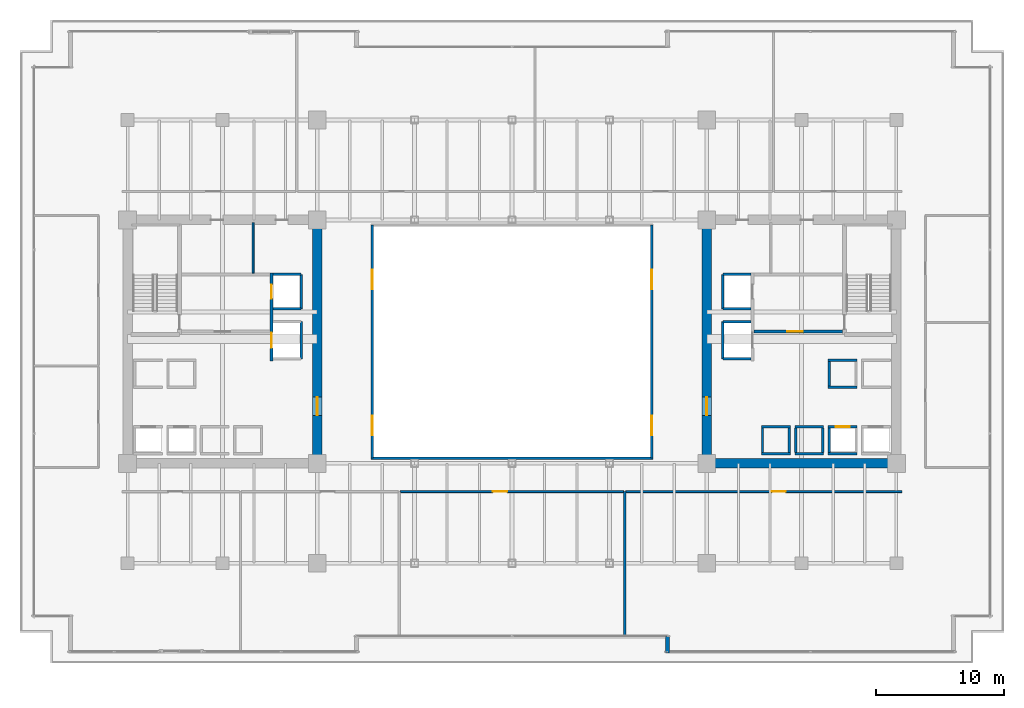
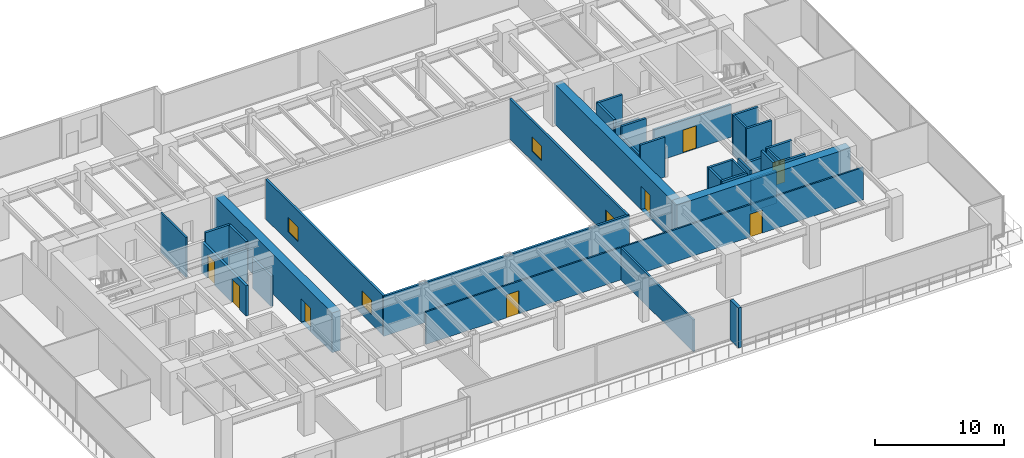
# One storey, part 30 of 36: 37 walls, 8 doors, 4 windows, 12 openings.
"""IFC4 building model written with IfcOpenShell, lengths in metres."""

from ifc_helpers import new_model, si_unit, direction, frame, frame_2d, origin, place, context, subcontext, project, spatial, rectangle, extrude, source, transform, mapped, material, layer, layer_set, type_object, type_shapes, element, fill, save


model = new_model("IFC4")

# Units and contexts
model_context = context("Model", 3, precision=1e-05, world=origin(), true_north=direction((0.0, 1.0)))
body_context = subcontext(model_context, "Body", "Model", "MODEL_VIEW")
ifc_project = project(units=[si_unit("LENGTHUNIT", "METRE"), si_unit("AREAUNIT", "SQUARE_METRE"), si_unit("VOLUMEUNIT", "CUBIC_METRE"), si_unit("PLANEANGLEUNIT", "RADIAN"), si_unit("MASSUNIT", "GRAM", prefix="KILO")], contexts=[model_context])

# Site, building, storey
site_placement = place(None, origin())
site = spatial("IfcSite", under=ifc_project, at=site_placement, CompositionType="ELEMENT")
building_placement = place(site_placement, origin())
building = spatial("IfcBuilding", under=site, at=building_placement, Name="Haelvirn Gate Laboratories", CompositionType="ELEMENT")
storey_placement = place(building_placement, frame((0.0, 0.0, 25.199951171875)))
storey = spatial("IfcBuildingStorey", under=building, at=storey_placement, Name="L06", CompositionType="ELEMENT", Elevation=25.199951171875)

# Walls
ifc_material_1 = material(Name="Thermally-broken bronze aluminium rainscreen & mineral wool", Category="aluminium")
ifc_layer_1 = layer(ifc_material_1, 0.280029296875, Name="EW-TERR-280")
ifc_layer_set_1 = layer_set([ifc_layer_1], Name="Thermally-broken bronze aluminium rainscreen & mineral wool")
wall_type_1 = type_object("IfcWallType", Name="EW-TERR-280", PredefinedType="STANDARD", material=ifc_layer_set_1)
wall_1_placement = place(storey_placement, frame((49.5400390625, 1.2880859375, 0.0), z_axis=(0.0, 0.0, 1.0), x_axis=(0.0, -1.0, 0.0)))
element("IfcWall", 1, at=wall_1_placement, inside=storey, type_object=wall_type_1, Name="L06 Atrium Recess Bronze Return Wall 03", PredefinedType="STANDARD", context=body_context, shape_type="SweptSolid", body=[
    extrude(rectangle(XDim=1.2880859375, YDim=0.280029296875, at=frame_2d((0.64404296875, 0.0))), origin(), (0.0, 0.0, 1.0), 3.780029296875),
])
ifc_material_2 = material(Name="Double-layer acoustic gypsum laboratory partition", Category="gypsum")
ifc_layer_2 = layer(ifc_material_2, 0.159912109375, Name="IW-ACOUST-160")
ifc_layer_set_2 = layer_set([ifc_layer_2], Name="Double-layer acoustic gypsum laboratory partition")
wall_type_2 = type_object("IfcWallType", Name="IW-ACOUST-160", PredefinedType="PARTITIONING", material=ifc_layer_set_2)
wall_2_placement = place(storey_placement, frame((46.199951171875, 1.31005859375, 0.0), z_axis=(0.0, 0.0, 1.0), x_axis=(0.0, 1.0, 0.0)))
element("IfcWall", 2, at=wall_2_placement, inside=storey, type_object=wall_type_2, Name="L06 Interior Wall IW-L06-SDIV-03", PredefinedType="PARTITIONING", context=body_context, shape_type="SweptSolid", body=[
    extrude(rectangle(XDim=11.280029296875, YDim=0.159912109375, at=frame_2d((5.64013671875, 0.0))), origin(), (0.0, 0.0, 1.0), 3.01513671875),
])

# Wall, openings, windows
ifc_material_3 = material(Name="Tempered fire-rated borosilicate glass & anodised aluminium", Category="aluminium")
ifc_layer_3 = layer(ifc_material_3, 0.195068359375, Name="IW-GLAZ-200")
ifc_layer_set_3 = layer_set([ifc_layer_3], Name="Tempered fire-rated borosilicate glass & anodised aluminium")
wall_type_3 = type_object("IfcWallType", Name="IW-GLAZ-200", PredefinedType="SOLIDWALL", material=ifc_layer_set_3)
wall_3_placement = place(storey_placement, frame((26.5, 15.199951171875, 0.0), z_axis=(0.0, 0.0, 1.0), x_axis=(0.0, 1.0, 0.0)))
wall_3 = element("IfcWall", 3, at=wall_3_placement, inside=storey, type_object=wall_type_3, Name="L06 Interior Wall IW-L06-ATRIUM-W", PredefinedType="SOLIDWALL", context=body_context, shape_type="SweptSolid", body=[
    extrude(rectangle(XDim=18.199951171875, YDim=0.195068359375, at=frame_2d((9.10009765625, 0.0))), origin(), (0.0, 0.0, 1.0), 3.780029296875),
])
opening_1_placement = place(wall_3_placement, frame((1.800048828125, 0.0, 0.89990234375)))
opening_1 = element("IfcOpeningElement", 4, at=opening_1_placement, cuts=wall_3, Name="Opening W5", PredefinedType="OPENING", context=body_context, shape_type="SweptSolid", body=[
    extrude(rectangle(XDim=1.5, YDim=1.39990234375, at=frame_2d((0.75, 0.699951171875))), frame((0.0, 0.107421875, 0.0), z_axis=(0.0, -1.0, 0.0), x_axis=(1.0, 0.0, 0.0)), (0.0, 0.0, 1.0), 0.215087890625),
])
opening_2_placement = place(wall_3_placement, frame((13.199951171875, 0.0, 0.89990234375)))
opening_2 = element("IfcOpeningElement", 5, at=opening_2_placement, cuts=wall_3, Name="Opening W5", PredefinedType="OPENING", context=body_context, shape_type="SweptSolid", body=[
    extrude(rectangle(XDim=1.5, YDim=1.39990234375, at=frame_2d((0.75, 0.699951171875))), frame((0.0, 0.107421875, 0.0), z_axis=(0.0, -1.0, 0.0), x_axis=(1.0, 0.0, 0.0)), (0.0, 0.0, 1.0), 0.215087890625),
])
ifc_material_4 = material(Name="Fire-rated EI 120 borosilicate atrium vision glazing", Category="glass")
window_type = type_object("IfcWindowType", Name="WN-ATR-1500", PartitioningType="SINGLE_PANEL", PredefinedType="WINDOW", material=ifc_material_4)
shared_shape_1 = source(origin(), body_context, "Body", "SweptSolid", [
    extrude(rectangle(XDim=1.5, YDim=1.39990234375, at=frame_2d((0.75, 0.699951171875))), frame((0.0, 0.030029296875, 0.0), z_axis=(0.0, -1.0, 0.0), x_axis=(1.0, 0.0, 0.0)), (0.0, 0.0, 1.0), 0.06005859375),
])
type_shapes(window_type, [shared_shape_1])
window_1_placement = place(opening_1_placement, origin())
window_1 = element("IfcWindow", 6, at=window_1_placement, inside=storey, type_object=window_type, Name="L06 Atrium Observation Window 1", OverallHeight=1.39990234375, OverallWidth=1.5, PartitioningType="SINGLE_PANEL", PredefinedType="WINDOW", context=body_context, shape_type="MappedRepresentation", body=[
    mapped(shared_shape_1, transform((0.0, 0.0, 0.0), scale=1.0)),
])
fill(opening_1, window_1)
window_2_placement = place(opening_2_placement, origin())
window_2 = element("IfcWindow", 7, at=window_2_placement, inside=storey, type_object=window_type, Name="L06 Atrium Observation Window 2", OverallHeight=1.39990234375, OverallWidth=1.5, PartitioningType="SINGLE_PANEL", PredefinedType="WINDOW", context=body_context, shape_type="MappedRepresentation", body=[
    mapped(shared_shape_1, transform((0.0, 0.0, 0.0), scale=1.0)),
])
fill(opening_2, window_2)

wall_4_placement = place(storey_placement, frame((48.300048828125, 15.199951171875, 0.0), z_axis=(0.0, 0.0, 1.0), x_axis=(0.0, 1.0, 0.0)))
wall_4 = element("IfcWall", 8, at=wall_4_placement, inside=storey, type_object=wall_type_3, Name="L06 Interior Wall IW-L06-ATRIUM-E", PredefinedType="SOLIDWALL", context=body_context, shape_type="SweptSolid", body=[
    extrude(rectangle(XDim=18.199951171875, YDim=0.195068359375, at=frame_2d((9.10009765625, 0.0))), origin(), (0.0, 0.0, 1.0), 3.780029296875),
])
opening_3_placement = place(wall_4_placement, frame((1.800048828125, 0.0, 0.89990234375)))
opening_3 = element("IfcOpeningElement", 9, at=opening_3_placement, cuts=wall_4, Name="Opening W5", PredefinedType="OPENING", context=body_context, shape_type="SweptSolid", body=[
    extrude(rectangle(XDim=1.5, YDim=1.39990234375, at=frame_2d((0.75, 0.699951171875))), frame((0.0, 0.107421875, 0.0), z_axis=(0.0, -1.0, 0.0), x_axis=(1.0, 0.0, 0.0)), (0.0, 0.0, 1.0), 0.215087890625),
])
opening_4_placement = place(wall_4_placement, frame((13.199951171875, 0.0, 0.89990234375)))
opening_4 = element("IfcOpeningElement", 10, at=opening_4_placement, cuts=wall_4, Name="Opening W5", PredefinedType="OPENING", context=body_context, shape_type="SweptSolid", body=[
    extrude(rectangle(XDim=1.5, YDim=1.39990234375, at=frame_2d((0.75, 0.699951171875))), frame((0.0, 0.107421875, 0.0), z_axis=(0.0, -1.0, 0.0), x_axis=(1.0, 0.0, 0.0)), (0.0, 0.0, 1.0), 0.215087890625),
])
window_3_placement = place(opening_3_placement, origin())
window_3 = element("IfcWindow", 11, at=window_3_placement, inside=storey, type_object=window_type, Name="L06 Atrium Observation Window 1", OverallHeight=1.39990234375, OverallWidth=1.5, PartitioningType="SINGLE_PANEL", PredefinedType="WINDOW", context=body_context, shape_type="MappedRepresentation", body=[
    mapped(shared_shape_1, transform((0.0, 0.0, 0.0), scale=1.0)),
])
fill(opening_3, window_3)
window_4_placement = place(opening_4_placement, origin())
window_4 = element("IfcWindow", 12, at=window_4_placement, inside=storey, type_object=window_type, Name="L06 Atrium Observation Window 2", OverallHeight=1.39990234375, OverallWidth=1.5, PartitioningType="SINGLE_PANEL", PredefinedType="WINDOW", context=body_context, shape_type="MappedRepresentation", body=[
    mapped(shared_shape_1, transform((0.0, 0.0, 0.0), scale=1.0)),
])
fill(opening_4, window_4)

# Wall
wall_5_placement = place(storey_placement, frame((26.39990234375, 15.199951171875, 0.0), z_axis=(0.0, 0.0, 1.0), x_axis=(1.0, 0.0, 0.0)))
element("IfcWall", 13, at=wall_5_placement, inside=storey, type_object=wall_type_3, Name="L06 Interior Wall IW-L06-ATRIUM-S", PredefinedType="SOLIDWALL", context=body_context, shape_type="SweptSolid", body=[
    extrude(rectangle(XDim=22.0, YDim=0.195068359375, at=frame_2d((11.0, 0.0))), origin(), (0.0, 0.0, 1.0), 3.780029296875),
])

# Wall, opening, door
ifc_material_5 = material(Name="Acoustic mineral-wool gypsum board partition", Category="gypsum")
ifc_layer_4 = layer(ifc_material_5, 0.139892578125, Name="IW-PART-140")
ifc_layer_set_4 = layer_set([ifc_layer_4], Name="Acoustic mineral-wool gypsum board partition")
wall_type_4 = type_object("IfcWallType", Name="IW-PART-140", PredefinedType="PARTITIONING", material=ifc_layer_set_4)
wall_6_placement = place(storey_placement, frame((28.679931640625, 12.590087890625, 0.0), z_axis=(0.0, 0.0, 1.0), x_axis=(1.0, 0.0, 0.0)))
wall_6 = element("IfcWall", 14, at=wall_6_placement, inside=storey, type_object=wall_type_4, Name="L06 Interior Wall IW-L06-SCORR-03", PredefinedType="PARTITIONING", context=body_context, shape_type="SweptSolid", body=[
    extrude(rectangle(XDim=17.440185546875, YDim=0.139892578125, at=frame_2d((8.72021484375, 0.0))), origin(), (0.0, 0.0, 1.0), 3.06494140625),
])
opening_5_placement = place(wall_6_placement, frame((7.231689453125, 0.0, 0.0)))
opening_5 = element("IfcOpeningElement", 15, at=opening_5_placement, cuts=wall_6, Name="Opening D1", PredefinedType="OPENING", context=body_context, shape_type="SweptSolid", body=[
    extrude(rectangle(XDim=1.10009765625, YDim=2.179931640625, at=frame_2d((0.550048828125, 1.08984375))), frame((0.0, 0.080078125, 0.0), z_axis=(0.0, -1.0, 0.0), x_axis=(1.0, 0.0, 0.0)), (0.0, 0.0, 1.0), 0.159912109375),
])
ifc_material_6 = material(Name="Vision-panel acoustic solid-core timber lab door", Category="wood")
door_type_1 = type_object("IfcDoorType", Name="DR-LAB-1100", OperationType="NOTDEFINED", PredefinedType="DOOR", material=ifc_material_6)
shared_shape_2 = source(origin(), body_context, "Body", "SweptSolid", [
    extrude(rectangle(XDim=1.10009765625, YDim=2.179931640625, at=frame_2d((0.550048828125, 1.08984375))), frame((0.0, 0.02490234375, 0.0), z_axis=(0.0, -1.0, 0.0), x_axis=(1.0, 0.0, 0.0)), (0.0, 0.0, 1.0), 0.050048828125),
])
type_shapes(door_type_1, [shared_shape_2])
door_1_placement = place(opening_5_placement, origin())
door_1 = element("IfcDoor", 16, at=door_1_placement, inside=storey, type_object=door_type_1, Name="L06 Protocol Briefing Training Room Door S3", OperationType="SINGLE_SWING_LEFT", OverallHeight=2.179931640625, OverallWidth=1.10009765625, PredefinedType="DOOR", context=body_context, shape_type="MappedRepresentation", body=[
    mapped(shared_shape_2, transform((0.0, 0.0, 0.0), scale=1.0)),
])
fill(opening_5, door_1)

wall_7_placement = place(storey_placement, frame((46.280029296875, 12.590087890625, 0.0), z_axis=(0.0, 0.0, 1.0), x_axis=(1.0, 0.0, 0.0)))
wall_7 = element("IfcWall", 17, at=wall_7_placement, inside=storey, type_object=wall_type_4, Name="L06 Interior Wall IW-L06-SCORR-04", PredefinedType="PARTITIONING", context=body_context, shape_type="SweptSolid", body=[
    extrude(rectangle(XDim=21.5400390625, YDim=0.139892578125, at=frame_2d((10.77001953125, 0.0))), origin(), (0.0, 0.0, 1.0), 3.06494140625),
])
opening_6_placement = place(wall_7_placement, frame((11.404296875, 0.0, 0.0)))
opening_6 = element("IfcOpeningElement", 18, at=opening_6_placement, cuts=wall_7, Name="Opening D1", PredefinedType="OPENING", context=body_context, shape_type="SweptSolid", body=[
    extrude(rectangle(XDim=1.10009765625, YDim=2.179931640625, at=frame_2d((0.550048828125, 1.08984375))), frame((0.0, 0.080078125, 0.0), z_axis=(0.0, -1.0, 0.0), x_axis=(1.0, 0.0, 0.0)), (0.0, 0.0, 1.0), 0.159912109375),
])
door_2_placement = place(opening_6_placement, origin())
door_2 = element("IfcDoor", 19, at=door_2_placement, inside=storey, type_object=door_type_1, Name="L06 Peer-Review Seminar Room Door S4", OperationType="SINGLE_SWING_RIGHT", OverallHeight=2.179931640625, OverallWidth=1.10009765625, PredefinedType="DOOR", context=body_context, shape_type="MappedRepresentation", body=[
    mapped(shared_shape_2, transform((0.0, 0.0, 0.0), scale=1.0)),
])
fill(opening_6, door_2)

# Walls
ifc_material_7 = material(Name="Cement-board restroom plumbing chase wall", Category="gypsum")
ifc_layer_5 = layer(ifc_material_7, 0.155029296875, Name="IW-PLUMB-160")
ifc_layer_set_5 = layer_set([ifc_layer_5], Name="Cement-board restroom plumbing chase wall")
wall_type_5 = type_object("IfcWallType", Name="IW-PLUMB-160", PredefinedType="PLUMBINGWALL", material=ifc_layer_set_5)
wall_8_placement = place(storey_placement, frame((17.18994140625, 29.64990234375, 0.0), z_axis=(0.0, 0.0, 1.0), x_axis=(0.0, 1.0, 0.0)))
element("IfcWall", 20, at=wall_8_placement, inside=storey, type_object=wall_type_5, Name="L06 Interior Wall IW-L06-W-CDIV-1", PredefinedType="PLUMBINGWALL", context=body_context, shape_type="SweptSolid", body=[
    extrude(rectangle(XDim=3.93017578125, YDim=0.155029296875, at=frame_2d((1.965087890625, 0.0))), origin(), (0.0, 0.0, 1.0), 3.780029296875),
])
ifc_material_8 = material(Name="Concrete C40/50", Category="concrete")
ifc_layer_6 = layer(ifc_material_8, 0.179931640625, Name="IW-SHAFT-180")
ifc_layer_set_6 = layer_set([ifc_layer_6], Name="Concrete C40/50")
wall_type_6 = type_object("IfcWallType", Name="IW-SHAFT-180", PredefinedType="SOLIDWALL", material=ifc_layer_set_6)
for number, where, z_axis, x_axis, name in (
    (21, (62.14990234375, 15.64990234375, 0.0), (0.0, 0.0, 1.0), (0.0, 1.0, 0.0), "L06 Interior Wall IW-L06-PL4-SD"),
    (22, (59.550048828125, 15.64990234375, 0.0), (0.0, 0.0, 1.0), (0.0, 1.0, 0.0), "L06 Interior Wall IW-L06-PL7-SD"),
    (23, (61.64990234375, 15.64990234375, 0.0), (0.0, 0.0, 1.0), (0.0, 1.0, 0.0), "L06 Interior Wall IW-L06-PL7-SDE"),
    (24, (56.949951171875, 15.64990234375, 0.0), (0.0, 0.0, 1.0), (0.0, 1.0, 0.0), "L06 Interior Wall IW-L06-PL8-SD"),
    (25, (59.050048828125, 15.64990234375, 0.0), (0.0, 0.0, 1.0), (0.0, 1.0, 0.0), "L06 Interior Wall IW-L06-PL8-SDE"),
):
    element("IfcWall", number, at=place(storey_placement, frame(where, z_axis=z_axis, x_axis=x_axis)), inside=storey, type_object=wall_type_6, Name=name, PredefinedType="SOLIDWALL", context=body_context, shape_type="SweptSolid", body=[
        extrude(rectangle(XDim=1.900146484375, YDim=0.179931640625, at=frame_2d((0.9501953125, 0.0))), origin(), (0.0, 0.0, 1.0), 3.780029296875),
    ])
wall_9_placement = place(storey_placement, frame((62.14990234375, 20.85009765625, 0.0), z_axis=(0.0, 0.0, 1.0), x_axis=(0.0, 1.0, 0.0)))
element("IfcWall", 26, at=wall_9_placement, inside=storey, type_object=wall_type_6, Name="L06 Interior Wall IW-L06-PL12-SD", PredefinedType="SOLIDWALL", context=body_context, shape_type="SweptSolid", body=[
    extrude(rectangle(XDim=1.89990234375, YDim=0.179931640625, at=frame_2d((0.949951171875, 0.0))), origin(), (0.0, 0.0, 1.0), 3.780029296875),
])
ifc_layer_7 = layer(ifc_material_8, 0.199951171875, Name="IW-SHAFT-200")
ifc_layer_set_7 = layer_set([ifc_layer_7], Name="Concrete C40/50")
wall_type_7 = type_object("IfcWallType", Name="IW-SHAFT-200", PredefinedType="SOLIDWALL", material=ifc_layer_set_7)
wall_10_placement = place(storey_placement, frame((20.949951171875, 26.85009765625, 0.0), z_axis=(0.0, 0.0, 1.0), x_axis=(0.0, 1.0, 0.0)))
element("IfcWall", 27, at=wall_10_placement, inside=storey, type_object=wall_type_7, Name="L06 Interior Wall IW-L06-FL1-BK", PredefinedType="SOLIDWALL", context=body_context, shape_type="SweptSolid", body=[
    extrude(rectangle(XDim=2.699951171875, YDim=0.199951171875, at=frame_2d((1.35009765625, 0.0))), origin(), (0.0, 0.0, 1.0), 3.780029296875),
])
wall_11_placement = place(storey_placement, frame((18.760009765625, 29.550048828125, 0.0), z_axis=(0.0, 0.0, 1.0), x_axis=(1.0, 0.0, 0.0)))
element("IfcWall", 28, at=wall_11_placement, inside=storey, type_object=wall_type_7, Name="L06 Interior Wall IW-L06-FL1-N", PredefinedType="SOLIDWALL", context=body_context, shape_type="SweptSolid", body=[
    extrude(rectangle(XDim=2.18994140625, YDim=0.199951171875, at=frame_2d((1.094970703125, 0.0))), origin(), (0.0, 0.0, 1.0), 3.780029296875),
])
wall_12_placement = place(storey_placement, frame((18.760009765625, 26.85009765625, 0.0), z_axis=(0.0, 0.0, 1.0), x_axis=(1.0, 0.0, 0.0)))
element("IfcWall", 29, at=wall_12_placement, inside=storey, type_object=wall_type_7, Name="L06 Interior Wall IW-L06-FL1-S", PredefinedType="SOLIDWALL", context=body_context, shape_type="SweptSolid", body=[
    extrude(rectangle(XDim=2.18994140625, YDim=0.199951171875, at=frame_2d((1.094970703125, 0.0))), origin(), (0.0, 0.0, 1.0), 3.177001953125),
])
wall_13_placement = place(storey_placement, frame((20.949951171875, 22.949951171875, 0.0), z_axis=(0.0, 0.0, 1.0), x_axis=(0.0, 1.0, 0.0)))
element("IfcWall", 30, at=wall_13_placement, inside=storey, type_object=wall_type_7, Name="L06 Interior Wall IW-L06-SL1-BK", PredefinedType="SOLIDWALL", context=body_context, shape_type="SweptSolid", body=[
    extrude(rectangle(XDim=2.900146484375, YDim=0.199951171875, at=frame_2d((1.4501953125, 0.0))), origin(), (0.0, 0.0, 1.0), 2.864990234375),
])

# Wall, opening, door
wall_14_placement = place(storey_placement, frame((62.070068359375, 17.64990234375, 0.0), z_axis=(0.0, 0.0, 1.0), x_axis=(1.0, 0.0, 0.0)))
wall_14 = element("IfcWall", 31, at=wall_14_placement, inside=storey, type_object=wall_type_7, Name="L06 Interior Wall IW-L06-PL4-FR", PredefinedType="SOLIDWALL", context=body_context, shape_type="SweptSolid", body=[
    extrude(rectangle(XDim=2.260009765625, YDim=0.199951171875, at=frame_2d((1.1298828125, 0.0))), origin(), (0.0, 0.0, 1.0), 3.780029296875),
])
opening_7_placement = place(wall_14_placement, frame((0.580078125, 0.0, 0.0)))
opening_7 = element("IfcOpeningElement", 32, at=opening_7_placement, cuts=wall_14, Name="Opening LD2", PredefinedType="OPENING", context=body_context, shape_type="SweptSolid", body=[
    extrude(rectangle(XDim=1.10009765625, YDim=2.219970703125, at=frame_2d((0.550048828125, 1.10986328125))), frame((0.0, 0.10986328125, 0.0), z_axis=(0.0, -1.0, 0.0), x_axis=(1.0, 0.0, 0.0)), (0.0, 0.0, 1.0), 0.219970703125),
])
ifc_material_9 = material(Name="Bronze stainless 316L sliding lift landing door")
door_type_2 = type_object("IfcDoorType", Name="DR-LD-1100", OperationType="NOTDEFINED", PredefinedType="USERDEFINED", material=ifc_material_9)
shared_shape_3 = source(origin(), body_context, "Body", "SweptSolid", [
    extrude(rectangle(XDim=1.10009765625, YDim=2.219970703125, at=frame_2d((0.550048828125, 1.10986328125))), frame((0.0, 0.02490234375, 0.0), z_axis=(0.0, -1.0, 0.0), x_axis=(1.0, 0.0, 0.0)), (0.0, 0.0, 1.0), 0.050048828125),
])
type_shapes(door_type_2, [shared_shape_3])
door_3_placement = place(opening_7_placement, origin())
door_3 = element("IfcDoor", 33, at=door_3_placement, inside=storey, type_object=door_type_2, Name="L06 Passenger Lift PL4 Landing Door", ObjectType="LANDING_DOOR", OperationType="SLIDING_TO_RIGHT", OverallHeight=2.219970703125, OverallWidth=1.10009765625, PredefinedType="USERDEFINED", context=body_context, shape_type="MappedRepresentation", body=[
    mapped(shared_shape_3, transform((0.0, 0.0, 0.0), scale=1.0)),
])
fill(opening_7, door_3)

# Walls
wall_15_placement = place(storey_placement, frame((62.070068359375, 15.550048828125, 0.0), z_axis=(0.0, 0.0, 1.0), x_axis=(1.0, 0.0, 0.0)))
element("IfcWall", 34, at=wall_15_placement, inside=storey, type_object=wall_type_7, Name="L06 Interior Wall IW-L06-PL4-BK", PredefinedType="SOLIDWALL", context=body_context, shape_type="SweptSolid", body=[
    extrude(rectangle(XDim=2.260009765625, YDim=0.199951171875, at=frame_2d((1.1298828125, 0.0))), origin(), (0.0, 0.0, 1.0), 3.780029296875),
])
for number, where, z_axis, x_axis, name in (
    (35, (59.469970703125, 17.64990234375, 0.0), (0.0, 0.0, 1.0), (1.0, 0.0, 0.0), "L06 Interior Wall IW-L06-PL7-FR"),
    (36, (59.469970703125, 15.550048828125, 0.0), (0.0, 0.0, 1.0), (1.0, 0.0, 0.0), "L06 Interior Wall IW-L06-PL7-BK"),
):
    element("IfcWall", number, at=place(storey_placement, frame(where, z_axis=z_axis, x_axis=x_axis)), inside=storey, type_object=wall_type_7, Name=name, PredefinedType="SOLIDWALL", context=body_context, shape_type="SweptSolid", body=[
        extrude(rectangle(XDim=2.260009765625, YDim=0.199951171875, at=frame_2d((1.1298828125, 0.0))), origin(), (0.0, 0.0, 1.0), 3.06494140625),
    ])
for number, where, z_axis, x_axis, name in (
    (37, (56.8701171875, 17.64990234375, 0.0), (0.0, 0.0, 1.0), (1.0, 0.0, 0.0), "L06 Interior Wall IW-L06-PL8-FR"),
    (38, (56.8701171875, 15.550048828125, 0.0), (0.0, 0.0, 1.0), (1.0, 0.0, 0.0), "L06 Interior Wall IW-L06-PL8-BK"),
):
    element("IfcWall", number, at=place(storey_placement, frame(where, z_axis=z_axis, x_axis=x_axis)), inside=storey, type_object=wall_type_7, Name=name, PredefinedType="SOLIDWALL", context=body_context, shape_type="SweptSolid", body=[
        extrude(rectangle(XDim=2.259765625, YDim=0.199951171875, at=frame_2d((1.1298828125, 0.0))), origin(), (0.0, 0.0, 1.0), 3.780029296875),
    ])
for number, where, z_axis, x_axis, name in (
    (39, (62.070068359375, 20.75, 0.0), (0.0, 0.0, 1.0), (1.0, 0.0, 0.0), "L06 Interior Wall IW-L06-PL12-FR"),
    (40, (62.070068359375, 22.85009765625, 0.0), (0.0, 0.0, 1.0), (1.0, 0.0, 0.0), "L06 Interior Wall IW-L06-PL12-BK"),
):
    element("IfcWall", number, at=place(storey_placement, frame(where, z_axis=z_axis, x_axis=x_axis)), inside=storey, type_object=wall_type_7, Name=name, PredefinedType="SOLIDWALL", context=body_context, shape_type="SweptSolid", body=[
        extrude(rectangle(XDim=2.260009765625, YDim=0.199951171875, at=frame_2d((1.1298828125, 0.0))), origin(), (0.0, 0.0, 1.0), 3.780029296875),
    ])
wall_16_placement = place(storey_placement, frame((53.85009765625, 26.85009765625, 0.0), z_axis=(0.0, 0.0, 1.0), x_axis=(0.0, 1.0, 0.0)))
element("IfcWall", 41, at=wall_16_placement, inside=storey, type_object=wall_type_7, Name="L06 Interior Wall IW-L06-FL2-BK", PredefinedType="SOLIDWALL", context=body_context, shape_type="SweptSolid", body=[
    extrude(rectangle(XDim=2.699951171875, YDim=0.199951171875, at=frame_2d((1.35009765625, 0.0))), origin(), (0.0, 0.0, 1.0), 3.780029296875),
])
wall_17_placement = place(storey_placement, frame((53.85009765625, 29.550048828125, 0.0), z_axis=(0.0, 0.0, 1.0), x_axis=(1.0, 0.0, 0.0)))
element("IfcWall", 42, at=wall_17_placement, inside=storey, type_object=wall_type_7, Name="L06 Interior Wall IW-L06-FL2-N", PredefinedType="SOLIDWALL", context=body_context, shape_type="SweptSolid", body=[
    extrude(rectangle(XDim=2.18994140625, YDim=0.199951171875, at=frame_2d((1.094970703125, 0.0))), origin(), (0.0, 0.0, 1.0), 3.780029296875),
])
wall_18_placement = place(storey_placement, frame((53.85009765625, 26.85009765625, 0.0), z_axis=(0.0, 0.0, 1.0), x_axis=(1.0, 0.0, 0.0)))
element("IfcWall", 43, at=wall_18_placement, inside=storey, type_object=wall_type_7, Name="L06 Interior Wall IW-L06-FL2-S", PredefinedType="SOLIDWALL", context=body_context, shape_type="SweptSolid", body=[
    extrude(rectangle(XDim=2.18994140625, YDim=0.199951171875, at=frame_2d((1.094970703125, 0.0))), origin(), (0.0, 0.0, 1.0), 3.177001953125),
])
wall_19_placement = place(storey_placement, frame((53.85009765625, 22.949951171875, 0.0), z_axis=(0.0, 0.0, 1.0), x_axis=(0.0, 1.0, 0.0)))
element("IfcWall", 44, at=wall_19_placement, inside=storey, type_object=wall_type_7, Name="L06 Interior Wall IW-L06-SL2-BK", PredefinedType="SOLIDWALL", context=body_context, shape_type="SweptSolid", body=[
    extrude(rectangle(XDim=2.900146484375, YDim=0.199951171875, at=frame_2d((1.4501953125, 0.0))), origin(), (0.0, 0.0, 1.0), 2.864990234375),
])
for number, where, z_axis, x_axis, name in (
    (45, (53.85009765625, 25.85009765625, 0.0), (0.0, 0.0, 1.0), (1.0, 0.0, 0.0), "L06 Interior Wall IW-L06-SL2-N"),
    (46, (53.85009765625, 22.949951171875, 0.0), (0.0, 0.0, 1.0), (1.0, 0.0, 0.0), "L06 Interior Wall IW-L06-SL2-S"),
):
    element("IfcWall", number, at=place(storey_placement, frame(where, z_axis=z_axis, x_axis=x_axis)), inside=storey, type_object=wall_type_7, Name=name, PredefinedType="SOLIDWALL", context=body_context, shape_type="SweptSolid", body=[
        extrude(rectangle(XDim=2.18994140625, YDim=0.199951171875, at=frame_2d((1.094970703125, 0.0))), origin(), (0.0, 0.0, 1.0), 3.780029296875),
    ])

# Wall, openings, doors
ifc_layer_8 = layer(ifc_material_8, 0.239990234375, Name="IW-SHAFT-240")
ifc_layer_set_8 = layer_set([ifc_layer_8], Name="Concrete C40/50")
wall_type_8 = type_object("IfcWallType", Name="IW-SHAFT-240", PredefinedType="SOLIDWALL", material=ifc_layer_set_8)
wall_20_placement = place(storey_placement, frame((18.639892578125, 22.800048828125, 0.0), z_axis=(0.0, 0.0, 1.0), x_axis=(0.0, 1.0, 0.0)))
wall_20 = element("IfcWall", 47, at=wall_20_placement, inside=storey, type_object=wall_type_8, Name="L06 Interior Wall IW-L06-W-FF-E", PredefinedType="SOLIDWALL", context=body_context, shape_type="SweptSolid", body=[
    extrude(rectangle(XDim=6.849853515625, YDim=0.239990234375, at=frame_2d((3.4248046875, 0.0))), origin(), (0.0, 0.0, 1.0), 2.864990234375),
])
opening_8_placement = place(wall_20_placement, frame((4.85009765625, 0.0, 0.0)))
opening_8 = element("IfcOpeningElement", 48, at=opening_8_placement, cuts=wall_20, Name="Opening LD2", PredefinedType="OPENING", context=body_context, shape_type="SweptSolid", body=[
    extrude(rectangle(XDim=1.10009765625, YDim=2.219970703125, at=frame_2d((0.550048828125, 1.10986328125))), frame((0.0, 0.1298828125, 0.0), z_axis=(0.0, -1.0, 0.0), x_axis=(1.0, 0.0, 0.0)), (0.0, 0.0, 1.0), 0.260009765625),
])
opening_9_placement = place(wall_20_placement, frame((1.0, 0.0, 0.0)))
opening_9 = element("IfcOpeningElement", 49, at=opening_9_placement, cuts=wall_20, Name="Opening LD1", PredefinedType="OPENING", context=body_context, shape_type="SweptSolid", body=[
    extrude(rectangle(XDim=1.199951171875, YDim=2.219970703125, at=frame_2d((0.60009765625, 1.10986328125))), frame((0.0, 0.1298828125, 0.0), z_axis=(0.0, -1.0, 0.0), x_axis=(1.0, 0.0, 0.0)), (0.0, 0.0, 1.0), 0.260009765625),
])
door_4_placement = place(opening_8_placement, origin())
door_4 = element("IfcDoor", 50, at=door_4_placement, inside=storey, type_object=door_type_2, Name="L06 Firefighting Lift FL1 Landing Door", ObjectType="LANDING_DOOR", OperationType="SLIDING_TO_LEFT", OverallHeight=2.219970703125, OverallWidth=1.10009765625, PredefinedType="USERDEFINED", context=body_context, shape_type="MappedRepresentation", body=[
    mapped(shared_shape_3, transform((0.0, 0.0, 0.0), scale=1.0)),
])
fill(opening_8, door_4)
ifc_material_10 = material(Name="Stainless steel 316L sliding goods landing door", Category="steel")
door_type_3 = type_object("IfcDoorType", Name="DR-LD-1200", OperationType="NOTDEFINED", PredefinedType="USERDEFINED", material=ifc_material_10)
shared_shape_4 = source(origin(), body_context, "Body", "SweptSolid", [
    extrude(rectangle(XDim=1.199951171875, YDim=2.219970703125, at=frame_2d((0.60009765625, 1.10986328125))), frame((0.0, 0.02490234375, 0.0), z_axis=(0.0, -1.0, 0.0), x_axis=(1.0, 0.0, 0.0)), (0.0, 0.0, 1.0), 0.050048828125),
])
type_shapes(door_type_3, [shared_shape_4])
door_5_placement = place(opening_9_placement, origin())
door_5 = element("IfcDoor", 51, at=door_5_placement, inside=storey, type_object=door_type_3, Name="L06 Service Lift SL1 Landing Door", ObjectType="LANDING_DOOR", OperationType="SLIDING_TO_RIGHT", OverallHeight=2.219970703125, OverallWidth=1.199951171875, PredefinedType="USERDEFINED", context=body_context, shape_type="MappedRepresentation", body=[
    mapped(shared_shape_4, transform((0.0, 0.0, 0.0), scale=1.0)),
])
fill(opening_9, door_5)

# Wall, opening, door
wall_21_placement = place(storey_placement, frame((56.280029296875, 25.080078125, 0.0), z_axis=(0.0, 0.0, 1.0), x_axis=(1.0, 0.0, 0.0)))
wall_21 = element("IfcWall", 52, at=wall_21_placement, inside=storey, type_object=wall_type_8, Name="L06 Interior Wall IW-L06-E-FF-S", PredefinedType="SOLIDWALL", context=body_context, shape_type="SweptSolid", body=[
    extrude(rectangle(XDim=6.919921875, YDim=0.239990234375, at=frame_2d((3.4599609375, 0.0))), origin(), (0.0, 0.0, 1.0), 3.06494140625),
])
opening_10_placement = place(wall_21_placement, frame((2.60009765625, 0.0, 0.0)))
opening_10 = element("IfcOpeningElement", 53, at=opening_10_placement, cuts=wall_21, Name="Opening FD2", PredefinedType="OPENING", context=body_context, shape_type="SweptSolid", body=[
    extrude(rectangle(XDim=1.199951171875, YDim=2.159912109375, at=frame_2d((0.60009765625, 1.080078125))), frame((0.0, 0.1298828125, 0.0), z_axis=(0.0, -1.0, 0.0), x_axis=(1.0, 0.0, 0.0)), (0.0, 0.0, 1.0), 0.260009765625),
])
ifc_material_11 = material(Name="Fire-rated steel SM355 compartment door", Category="steel")
door_type_4 = type_object("IfcDoorType", Name="DR-FD-1200", OperationType="NOTDEFINED", PredefinedType="DOOR", material=ifc_material_11)
shared_shape_5 = source(origin(), body_context, "Body", "SweptSolid", [
    extrude(rectangle(XDim=1.199951171875, YDim=2.159912109375, at=frame_2d((0.60009765625, 1.080078125))), frame((0.0, 0.02490234375, 0.0), z_axis=(0.0, -1.0, 0.0), x_axis=(1.0, 0.0, 0.0)), (0.0, 0.0, 1.0), 0.050048828125),
])
type_shapes(door_type_4, [shared_shape_5])
door_6_placement = place(opening_10_placement, origin())
door_6 = element("IfcDoor", 54, at=door_6_placement, inside=storey, type_object=door_type_4, Name="L06 East Firefighting Lobby Door", OperationType="SINGLE_SWING_LEFT", OverallHeight=2.159912109375, OverallWidth=1.199951171875, PredefinedType="DOOR", context=body_context, shape_type="MappedRepresentation", body=[
    mapped(shared_shape_5, transform((0.0, 0.0, 0.0), scale=1.0)),
])
fill(opening_10, door_6)

ifc_material_12 = material(Name="Concrete C70/85", Category="concrete")
ifc_layer_9 = layer(ifc_material_12, 0.75, Name="SW-CORE-750")
ifc_layer_set_9 = layer_set([ifc_layer_9], Name="Concrete C70/85")
wall_type_9 = type_object("IfcWallType", Name="SW-CORE-750", PredefinedType="SHEAR", material=ifc_layer_set_9)
wall_22_placement = place(storey_placement, frame((22.199951171875, 15.175048828125, 0.0), z_axis=(0.0, 0.0, 1.0), x_axis=(0.0, 1.0, 0.0)))
wall_22 = element("IfcWall", 55, at=wall_22_placement, inside=storey, type_object=wall_type_9, Name="L06 W Core Shear Wall E", PredefinedType="SHEAR", context=body_context, shape_type="SweptSolid", body=[
    extrude(rectangle(XDim=18.25, YDim=0.75, at=frame_2d((9.125, 0.0))), origin(), (0.0, 0.0, 1.0), 3.780029296875),
])
opening_11_placement = place(wall_22_placement, frame((3.375, 0.0, 0.0)))
opening_11 = element("IfcOpeningElement", 56, at=opening_11_placement, cuts=wall_22, Name="Opening FD1", PredefinedType="OPENING", context=body_context, shape_type="SweptSolid", body=[
    extrude(rectangle(XDim=1.419921875, YDim=2.199951171875, at=frame_2d((0.7099609375, 1.10009765625))), frame((0.0, 0.385009765625, 0.0), z_axis=(0.0, -1.0, 0.0), x_axis=(1.0, 0.0, 0.0)), (0.0, 0.0, 1.0), 0.77001953125),
])
ifc_material_13 = material(Name="Fire-rated double steel SM355 lobby door", Category="steel")
door_type_5 = type_object("IfcDoorType", Name="DR-FD-1400", OperationType="NOTDEFINED", PredefinedType="DOOR", material=ifc_material_13)
shared_shape_6 = source(origin(), body_context, "Body", "SweptSolid", [
    extrude(rectangle(XDim=1.419921875, YDim=2.199951171875, at=frame_2d((0.7099609375, 1.10009765625))), frame((0.0, 0.02490234375, 0.0), z_axis=(0.0, -1.0, 0.0), x_axis=(1.0, 0.0, 0.0)), (0.0, 0.0, 1.0), 0.050048828125),
])
type_shapes(door_type_5, [shared_shape_6])
door_7_placement = place(opening_11_placement, origin())
door_7 = element("IfcDoor", 57, at=door_7_placement, inside=storey, type_object=door_type_5, Name="L06 West Core Lift Lobby Fire Door", OperationType="DOUBLE_DOOR_SINGLE_SWING", OverallHeight=2.199951171875, OverallWidth=1.419921875, PredefinedType="DOOR", context=body_context, shape_type="MappedRepresentation", body=[
    mapped(shared_shape_6, transform((0.0, 0.0, 0.0), scale=1.0)),
])
fill(opening_11, door_7)

# Wall
wall_23_placement = place(storey_placement, frame((52.22509765625, 14.800048828125, 0.0), z_axis=(0.0, 0.0, 1.0), x_axis=(1.0, 0.0, 0.0)))
element("IfcWall", 58, at=wall_23_placement, inside=storey, type_object=wall_type_9, Name="L06 E Core Shear Wall S", PredefinedType="SHEAR", context=body_context, shape_type="SweptSolid", body=[
    extrude(rectangle(XDim=15.5498046875, YDim=0.75, at=frame_2d((7.77490234375, 0.0))), origin(), (0.0, 0.0, 1.0), 3.780029296875),
])

# Wall, opening, door
wall_24_placement = place(storey_placement, frame((52.60009765625, 15.175048828125, 0.0), z_axis=(0.0, 0.0, 1.0), x_axis=(0.0, 1.0, 0.0)))
wall_24 = element("IfcWall", 59, at=wall_24_placement, inside=storey, type_object=wall_type_9, Name="L06 E Core Shear Wall W", PredefinedType="SHEAR", context=body_context, shape_type="SweptSolid", body=[
    extrude(rectangle(XDim=18.25, YDim=0.75, at=frame_2d((9.125, 0.0))), origin(), (0.0, 0.0, 1.0), 3.780029296875),
])
opening_12_placement = place(wall_24_placement, frame((3.375, 0.0, 0.0)))
opening_12 = element("IfcOpeningElement", 60, at=opening_12_placement, cuts=wall_24, Name="Opening FD1", PredefinedType="OPENING", context=body_context, shape_type="SweptSolid", body=[
    extrude(rectangle(XDim=1.419921875, YDim=2.199951171875, at=frame_2d((0.7099609375, 1.10009765625))), frame((0.0, 0.385009765625, 0.0), z_axis=(0.0, -1.0, 0.0), x_axis=(1.0, 0.0, 0.0)), (0.0, 0.0, 1.0), 0.77001953125),
])
door_8_placement = place(opening_12_placement, origin())
door_8 = element("IfcDoor", 61, at=door_8_placement, inside=storey, type_object=door_type_5, Name="L06 East Core Lift Lobby Fire Door", OperationType="DOUBLE_DOOR_SINGLE_SWING", OverallHeight=2.199951171875, OverallWidth=1.419921875, PredefinedType="DOOR", context=body_context, shape_type="MappedRepresentation", body=[
    mapped(shared_shape_6, transform((0.0, 0.0, 0.0), scale=1.0)),
])
fill(opening_12, door_8)

save(model, "model.ifc")
